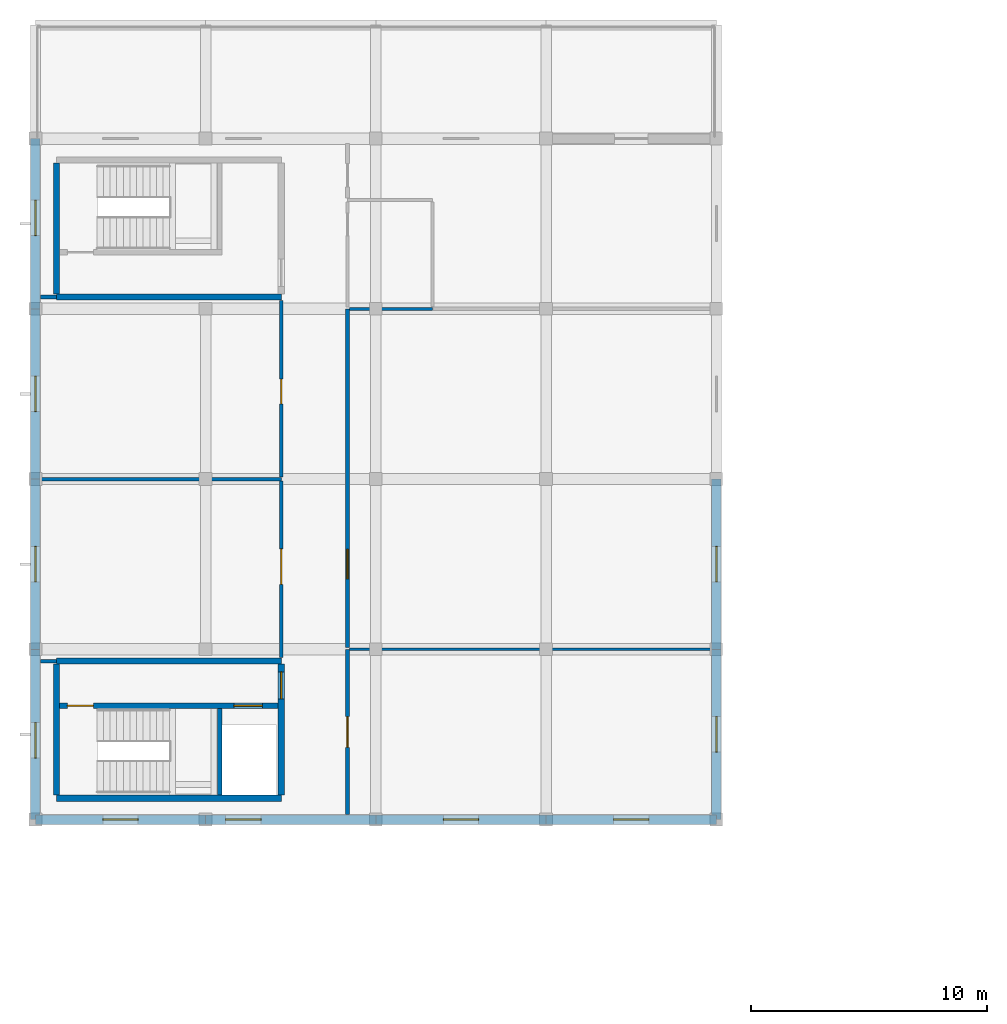
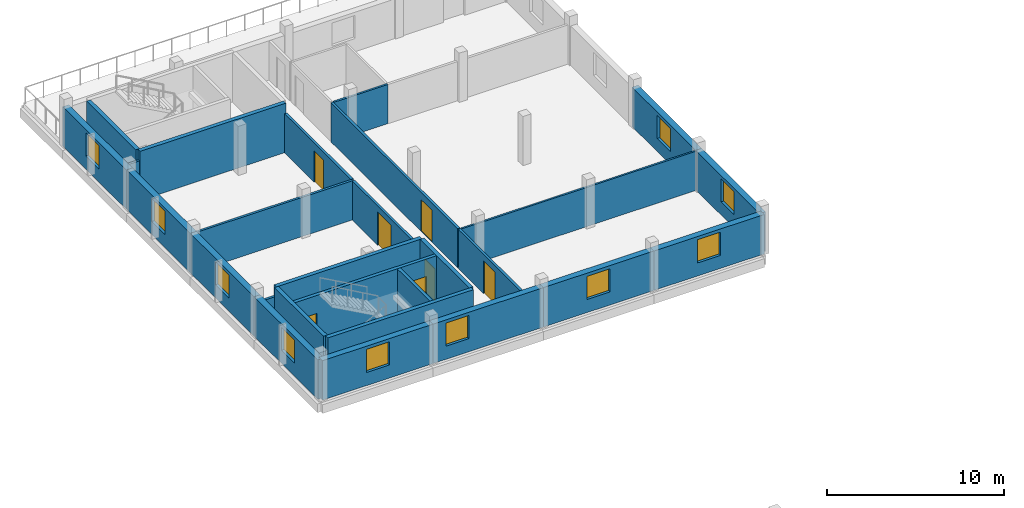
# One storey, part 72 of 84: 27 walls, 10 windows, 7 doors, 17 openings.
"""IFC4 building model written with IfcOpenShell, lengths in metres."""

from ifc_helpers import new_model, si_unit, direction, frame, frame_2d, origin, place, context, subcontext, project, spatial, rectangle, extrude, material, layer, layer_set, type_object, element, fill, save


model = new_model("IFC4")

# Units and contexts
model_context = context("Model", 3, precision=1e-05, world=origin(), true_north=direction((0.0, 1.0)))
body_context = subcontext(model_context, "Body", "Model", "MODEL_VIEW")
ifc_project = project(units=[si_unit("LENGTHUNIT", "METRE"), si_unit("AREAUNIT", "SQUARE_METRE"), si_unit("VOLUMEUNIT", "CUBIC_METRE"), si_unit("PLANEANGLEUNIT", "RADIAN"), si_unit("MASSUNIT", "GRAM", prefix="KILO")], contexts=[model_context])

# Site, building, storey
site_placement = place(None, origin())
site = spatial("IfcSite", under=ifc_project, at=site_placement, CompositionType="ELEMENT")
building_placement = place(site_placement, origin())
building = spatial("IfcBuilding", under=site, at=building_placement, Name="Zornivar Specialist Clinic", CompositionType="ELEMENT")
storey_placement = place(building_placement, frame((0.0, 0.0, 12.300048828125)))
storey = spatial("IfcBuildingStorey", under=building, at=storey_placement, Name="L03", CompositionType="ELEMENT", Elevation=12.300048828125)

# Wall, opening, window
ifc_material_1 = material(Name="Masonry Hygienic Insulated Procedure Wing Wall", Category="masonry")
ifc_layer_1 = layer(ifc_material_1, 0.39990234375)
ifc_layer_set_1 = layer_set([ifc_layer_1], Name="Masonry Hygienic Insulated Procedure Wing Wall")
wall_type_1 = type_object("IfcWallType", Name="EW-PROC-400", PredefinedType="SOLIDWALL", material=ifc_layer_set_1)
wall_1_placement = place(storey_placement, frame((0.0, 79.199951171875, 0.0), z_axis=(0.0, 0.0, 1.0), x_axis=(1.0, 0.0, 0.0)))
wall_1 = element("IfcWall", 1, at=wall_1_placement, inside=storey, type_object=wall_type_1, Name="ew:V5:L03:00", PredefinedType="SOLIDWALL", context=body_context, shape_type="SweptSolid", body=[
    extrude(rectangle(XDim=7.199951171875, YDim=0.39990234375, at=frame_2d((3.60009765625, 0.0))), origin(), (0.0, 0.0, 1.0), 2.719970703125),
])
opening_1_placement = place(wall_1_placement, frame((2.85009765625, 0.0, 0.89990234375)))
opening_1 = element("IfcOpeningElement", 2, at=opening_1_placement, cuts=wall_1, Name="Opening W-18", PredefinedType="OPENING", context=body_context, shape_type="SweptSolid", body=[
    extrude(rectangle(XDim=1.5, YDim=1.60009765625, at=frame_2d((0.75, 0.800048828125))), frame((0.0, 0.2099609375, 0.0), z_axis=(0.0, -1.0, 0.0), x_axis=(1.0, 0.0, 0.0)), (0.0, 0.0, 1.0), 0.419921875),
])
ifc_material_2 = material(Name="Triple-Glazed Aluminium-Timber Window Glass", Category="wood")
window_type = type_object("IfcWindowType", Name="WIN-PROC-UPPER-1500x1600", PartitioningType="SINGLE_PANEL", PredefinedType="WINDOW", material=ifc_material_2)
window_1_placement = place(opening_1_placement, origin())
window_1 = element("IfcWindow", 3, at=window_1_placement, inside=storey, type_object=window_type, Name="win:V5:L03:00", OverallHeight=1.60009765625, OverallWidth=1.5, PartitioningType="SINGLE_PANEL", PredefinedType="WINDOW", context=body_context, shape_type="SweptSolid", body=[
    extrude(rectangle(XDim=1.5, YDim=1.60009765625, at=frame_2d((0.75, 0.800048828125))), frame((0.0, 0.030029296875, 0.0), z_axis=(0.0, -1.0, 0.0), x_axis=(1.0, 0.0, 0.0)), (0.0, 0.0, 1.0), 0.06005859375),
])
fill(opening_1, window_1)

wall_2_placement = place(storey_placement, frame((7.199951171875, 79.199951171875, 0.0), z_axis=(0.0, 0.0, 1.0), x_axis=(1.0, 0.0, 0.0)))
wall_2 = element("IfcWall", 4, at=wall_2_placement, inside=storey, type_object=wall_type_1, Name="ew:V5:L03:01", PredefinedType="SOLIDWALL", context=body_context, shape_type="SweptSolid", body=[
    extrude(rectangle(XDim=7.199951171875, YDim=0.39990234375, at=frame_2d((3.60009765625, 0.0))), origin(), (0.0, 0.0, 1.0), 2.719970703125),
])
opening_2_placement = place(wall_2_placement, frame((0.85009765625, 0.0, 0.89990234375)))
opening_2 = element("IfcOpeningElement", 5, at=opening_2_placement, cuts=wall_2, Name="Opening W-18", PredefinedType="OPENING", context=body_context, shape_type="SweptSolid", body=[
    extrude(rectangle(XDim=1.5, YDim=1.60009765625, at=frame_2d((0.75, 0.800048828125))), frame((0.0, 0.2099609375, 0.0), z_axis=(0.0, -1.0, 0.0), x_axis=(1.0, 0.0, 0.0)), (0.0, 0.0, 1.0), 0.419921875),
])
window_2_placement = place(opening_2_placement, origin())
window_2 = element("IfcWindow", 6, at=window_2_placement, inside=storey, type_object=window_type, Name="win:V5:L03:01", OverallHeight=1.60009765625, OverallWidth=1.5, PartitioningType="SINGLE_PANEL", PredefinedType="WINDOW", context=body_context, shape_type="SweptSolid", body=[
    extrude(rectangle(XDim=1.5, YDim=1.60009765625, at=frame_2d((0.75, 0.800048828125))), frame((0.0, 0.030029296875, 0.0), z_axis=(0.0, -1.0, 0.0), x_axis=(1.0, 0.0, 0.0)), (0.0, 0.0, 1.0), 0.06005859375),
])
fill(opening_2, window_2)

wall_3_placement = place(storey_placement, frame((14.39990234375, 79.199951171875, 0.0), z_axis=(0.0, 0.0, 1.0), x_axis=(1.0, 0.0, 0.0)))
wall_3 = element("IfcWall", 7, at=wall_3_placement, inside=storey, type_object=wall_type_1, Name="ew:V5:L03:02", PredefinedType="SOLIDWALL", context=body_context, shape_type="SweptSolid", body=[
    extrude(rectangle(XDim=7.2001953125, YDim=0.39990234375, at=frame_2d((3.60009765625, 0.0))), origin(), (0.0, 0.0, 1.0), 2.719970703125),
])
opening_3_placement = place(wall_3_placement, frame((2.85009765625, 0.0, 0.89990234375)))
opening_3 = element("IfcOpeningElement", 8, at=opening_3_placement, cuts=wall_3, Name="Opening W-18", PredefinedType="OPENING", context=body_context, shape_type="SweptSolid", body=[
    extrude(rectangle(XDim=1.5, YDim=1.60009765625, at=frame_2d((0.75, 0.800048828125))), frame((0.0, 0.2099609375, 0.0), z_axis=(0.0, -1.0, 0.0), x_axis=(1.0, 0.0, 0.0)), (0.0, 0.0, 1.0), 0.419921875),
])
window_3_placement = place(opening_3_placement, origin())
window_3 = element("IfcWindow", 9, at=window_3_placement, inside=storey, type_object=window_type, Name="win:V5:L03:02", OverallHeight=1.60009765625, OverallWidth=1.5, PartitioningType="SINGLE_PANEL", PredefinedType="WINDOW", context=body_context, shape_type="SweptSolid", body=[
    extrude(rectangle(XDim=1.5, YDim=1.60009765625, at=frame_2d((0.75, 0.800048828125))), frame((0.0, 0.030029296875, 0.0), z_axis=(0.0, -1.0, 0.0), x_axis=(1.0, 0.0, 0.0)), (0.0, 0.0, 1.0), 0.06005859375),
])
fill(opening_3, window_3)

wall_4_placement = place(storey_placement, frame((21.60009765625, 79.199951171875, 0.0), z_axis=(0.0, 0.0, 1.0), x_axis=(1.0, 0.0, 0.0)))
wall_4 = element("IfcWall", 10, at=wall_4_placement, inside=storey, type_object=wall_type_1, Name="ew:V5:L03:03", PredefinedType="SOLIDWALL", context=body_context, shape_type="SweptSolid", body=[
    extrude(rectangle(XDim=7.199951171875, YDim=0.39990234375, at=frame_2d((3.60009765625, 0.0))), origin(), (0.0, 0.0, 1.0), 2.719970703125),
])
opening_4_placement = place(wall_4_placement, frame((2.85009765625, 0.0, 0.89990234375)))
opening_4 = element("IfcOpeningElement", 11, at=opening_4_placement, cuts=wall_4, Name="Opening W-18", PredefinedType="OPENING", context=body_context, shape_type="SweptSolid", body=[
    extrude(rectangle(XDim=1.5, YDim=1.60009765625, at=frame_2d((0.75, 0.800048828125))), frame((0.0, 0.2099609375, 0.0), z_axis=(0.0, -1.0, 0.0), x_axis=(1.0, 0.0, 0.0)), (0.0, 0.0, 1.0), 0.419921875),
])
window_4_placement = place(opening_4_placement, origin())
window_4 = element("IfcWindow", 12, at=window_4_placement, inside=storey, type_object=window_type, Name="win:V5:L03:03", OverallHeight=1.60009765625, OverallWidth=1.5, PartitioningType="SINGLE_PANEL", PredefinedType="WINDOW", context=body_context, shape_type="SweptSolid", body=[
    extrude(rectangle(XDim=1.5, YDim=1.60009765625, at=frame_2d((0.75, 0.800048828125))), frame((0.0, 0.030029296875, 0.0), z_axis=(0.0, -1.0, 0.0), x_axis=(1.0, 0.0, 0.0)), (0.0, 0.0, 1.0), 0.06005859375),
])
fill(opening_4, window_4)

wall_5_placement = place(storey_placement, frame((28.800048828125, 79.199951171875, 0.0), z_axis=(0.0, 0.0, 1.0), x_axis=(0.0, 1.0, 0.0)))
wall_5 = element("IfcWall", 13, at=wall_5_placement, inside=storey, type_object=wall_type_1, Name="ew:V5:L03:04", PredefinedType="SOLIDWALL", context=body_context, shape_type="SweptSolid", body=[
    extrude(rectangle(XDim=7.199951171875, YDim=0.39990234375, at=frame_2d((3.60009765625, 0.0))), origin(), (0.0, 0.0, 1.0), 2.719970703125),
])
opening_5_placement = place(wall_5_placement, frame((2.85009765625, 0.0, 0.89990234375)))
opening_5 = element("IfcOpeningElement", 14, at=opening_5_placement, cuts=wall_5, Name="Opening W-18", PredefinedType="OPENING", context=body_context, shape_type="SweptSolid", body=[
    extrude(rectangle(XDim=1.5, YDim=1.60009765625, at=frame_2d((0.75, 0.800048828125))), frame((0.0, 0.2099609375, 0.0), z_axis=(0.0, -1.0, 0.0), x_axis=(1.0, 0.0, 0.0)), (0.0, 0.0, 1.0), 0.419921875),
])
window_5_placement = place(opening_5_placement, origin())
window_5 = element("IfcWindow", 15, at=window_5_placement, inside=storey, type_object=window_type, Name="win:V5:L03:04", OverallHeight=1.60009765625, OverallWidth=1.5, PartitioningType="SINGLE_PANEL", PredefinedType="WINDOW", context=body_context, shape_type="SweptSolid", body=[
    extrude(rectangle(XDim=1.5, YDim=1.60009765625, at=frame_2d((0.75, 0.800048828125))), frame((0.0, 0.030029296875, 0.0), z_axis=(0.0, -1.0, 0.0), x_axis=(1.0, 0.0, 0.0)), (0.0, 0.0, 1.0), 0.06005859375),
])
fill(opening_5, window_5)

wall_6_placement = place(storey_placement, frame((28.800048828125, 86.39990234375, 0.0), z_axis=(0.0, 0.0, 1.0), x_axis=(0.0, 1.0, 0.0)))
wall_6 = element("IfcWall", 16, at=wall_6_placement, inside=storey, type_object=wall_type_1, Name="ew:V5:L03:05", PredefinedType="SOLIDWALL", context=body_context, shape_type="SweptSolid", body=[
    extrude(rectangle(XDim=7.2001953125, YDim=0.39990234375, at=frame_2d((3.60009765625, 0.0))), origin(), (0.0, 0.0, 1.0), 2.719970703125),
])
opening_6_placement = place(wall_6_placement, frame((2.85009765625, 0.0, 0.89990234375)))
opening_6 = element("IfcOpeningElement", 17, at=opening_6_placement, cuts=wall_6, Name="Opening W-18", PredefinedType="OPENING", context=body_context, shape_type="SweptSolid", body=[
    extrude(rectangle(XDim=1.5, YDim=1.60009765625, at=frame_2d((0.75, 0.800048828125))), frame((0.0, 0.2099609375, 0.0), z_axis=(0.0, -1.0, 0.0), x_axis=(1.0, 0.0, 0.0)), (0.0, 0.0, 1.0), 0.419921875),
])
window_6_placement = place(opening_6_placement, origin())
window_6 = element("IfcWindow", 18, at=window_6_placement, inside=storey, type_object=window_type, Name="win:V5:L03:05", OverallHeight=1.60009765625, OverallWidth=1.5, PartitioningType="SINGLE_PANEL", PredefinedType="WINDOW", context=body_context, shape_type="SweptSolid", body=[
    extrude(rectangle(XDim=1.5, YDim=1.60009765625, at=frame_2d((0.75, 0.800048828125))), frame((0.0, 0.030029296875, 0.0), z_axis=(0.0, -1.0, 0.0), x_axis=(1.0, 0.0, 0.0)), (0.0, 0.0, 1.0), 0.06005859375),
])
fill(opening_6, window_6)

wall_7_placement = place(storey_placement, frame((0.0, 108.0, 0.0), z_axis=(0.0, 0.0, 1.0), x_axis=(0.0, -1.0, 0.0)))
wall_7 = element("IfcWall", 19, at=wall_7_placement, inside=storey, type_object=wall_type_1, Name="ew:V5:L03:12", PredefinedType="SOLIDWALL", context=body_context, shape_type="SweptSolid", body=[
    extrude(rectangle(XDim=7.199951171875, YDim=0.39990234375, at=frame_2d((3.60009765625, 0.0))), origin(), (0.0, 0.0, 1.0), 2.719970703125),
])
opening_7_placement = place(wall_7_placement, frame((2.60009765625, 0.0, 0.89990234375)))
opening_7 = element("IfcOpeningElement", 20, at=opening_7_placement, cuts=wall_7, Name="Opening W-18", PredefinedType="OPENING", context=body_context, shape_type="SweptSolid", body=[
    extrude(rectangle(XDim=1.5, YDim=1.60009765625, at=frame_2d((0.75, 0.800048828125))), frame((0.0, 0.2099609375, 0.0), z_axis=(0.0, -1.0, 0.0), x_axis=(1.0, 0.0, 0.0)), (0.0, 0.0, 1.0), 0.419921875),
])
window_7_placement = place(opening_7_placement, origin())
window_7 = element("IfcWindow", 21, at=window_7_placement, inside=storey, type_object=window_type, Name="win:V5:L03:12", OverallHeight=1.60009765625, OverallWidth=1.5, PartitioningType="SINGLE_PANEL", PredefinedType="WINDOW", context=body_context, shape_type="SweptSolid", body=[
    extrude(rectangle(XDim=1.5, YDim=1.60009765625, at=frame_2d((0.75, 0.800048828125))), frame((0.0, 0.030029296875, 0.0), z_axis=(0.0, -1.0, 0.0), x_axis=(1.0, 0.0, 0.0)), (0.0, 0.0, 1.0), 0.06005859375),
])
fill(opening_7, window_7)

wall_8_placement = place(storey_placement, frame((0.0, 100.800048828125, 0.0), z_axis=(0.0, 0.0, 1.0), x_axis=(0.0, -1.0, 0.0)))
wall_8 = element("IfcWall", 22, at=wall_8_placement, inside=storey, type_object=wall_type_1, Name="ew:V5:L03:13", PredefinedType="SOLIDWALL", context=body_context, shape_type="SweptSolid", body=[
    extrude(rectangle(XDim=7.199951171875, YDim=0.39990234375, at=frame_2d((3.60009765625, 0.0))), origin(), (0.0, 0.0, 1.0), 2.719970703125),
])
opening_8_placement = place(wall_8_placement, frame((2.85009765625, 0.0, 0.89990234375)))
opening_8 = element("IfcOpeningElement", 23, at=opening_8_placement, cuts=wall_8, Name="Opening W-18", PredefinedType="OPENING", context=body_context, shape_type="SweptSolid", body=[
    extrude(rectangle(XDim=1.5, YDim=1.60009765625, at=frame_2d((0.75, 0.800048828125))), frame((0.0, 0.2099609375, 0.0), z_axis=(0.0, -1.0, 0.0), x_axis=(1.0, 0.0, 0.0)), (0.0, 0.0, 1.0), 0.419921875),
])
window_8_placement = place(opening_8_placement, origin())
window_8 = element("IfcWindow", 24, at=window_8_placement, inside=storey, type_object=window_type, Name="win:V5:L03:13", OverallHeight=1.60009765625, OverallWidth=1.5, PartitioningType="SINGLE_PANEL", PredefinedType="WINDOW", context=body_context, shape_type="SweptSolid", body=[
    extrude(rectangle(XDim=1.5, YDim=1.60009765625, at=frame_2d((0.75, 0.800048828125))), frame((0.0, 0.030029296875, 0.0), z_axis=(0.0, -1.0, 0.0), x_axis=(1.0, 0.0, 0.0)), (0.0, 0.0, 1.0), 0.06005859375),
])
fill(opening_8, window_8)

wall_9_placement = place(storey_placement, frame((0.0, 93.60009765625, 0.0), z_axis=(0.0, 0.0, 1.0), x_axis=(0.0, -1.0, 0.0)))
wall_9 = element("IfcWall", 25, at=wall_9_placement, inside=storey, type_object=wall_type_1, Name="ew:V5:L03:14", PredefinedType="SOLIDWALL", context=body_context, shape_type="SweptSolid", body=[
    extrude(rectangle(XDim=7.2001953125, YDim=0.39990234375, at=frame_2d((3.60009765625, 0.0))), origin(), (0.0, 0.0, 1.0), 2.719970703125),
])
opening_9_placement = place(wall_9_placement, frame((2.85009765625, 0.0, 0.89990234375)))
opening_9 = element("IfcOpeningElement", 26, at=opening_9_placement, cuts=wall_9, Name="Opening W-18", PredefinedType="OPENING", context=body_context, shape_type="SweptSolid", body=[
    extrude(rectangle(XDim=1.5, YDim=1.60009765625, at=frame_2d((0.75, 0.800048828125))), frame((0.0, 0.2099609375, 0.0), z_axis=(0.0, -1.0, 0.0), x_axis=(1.0, 0.0, 0.0)), (0.0, 0.0, 1.0), 0.419921875),
])
window_9_placement = place(opening_9_placement, origin())
window_9 = element("IfcWindow", 27, at=window_9_placement, inside=storey, type_object=window_type, Name="win:V5:L03:14", OverallHeight=1.60009765625, OverallWidth=1.5, PartitioningType="SINGLE_PANEL", PredefinedType="WINDOW", context=body_context, shape_type="SweptSolid", body=[
    extrude(rectangle(XDim=1.5, YDim=1.60009765625, at=frame_2d((0.75, 0.800048828125))), frame((0.0, 0.030029296875, 0.0), z_axis=(0.0, -1.0, 0.0), x_axis=(1.0, 0.0, 0.0)), (0.0, 0.0, 1.0), 0.06005859375),
])
fill(opening_9, window_9)

wall_10_placement = place(storey_placement, frame((0.0, 86.39990234375, 0.0), z_axis=(0.0, 0.0, 1.0), x_axis=(0.0, -1.0, 0.0)))
wall_10 = element("IfcWall", 28, at=wall_10_placement, inside=storey, type_object=wall_type_1, Name="ew:V5:L03:15", PredefinedType="SOLIDWALL", context=body_context, shape_type="SweptSolid", body=[
    extrude(rectangle(XDim=7.199951171875, YDim=0.39990234375, at=frame_2d((3.60009765625, 0.0))), origin(), (0.0, 0.0, 1.0), 2.719970703125),
])
opening_10_placement = place(wall_10_placement, frame((3.10009765625, 0.0, 0.89990234375)))
opening_10 = element("IfcOpeningElement", 29, at=opening_10_placement, cuts=wall_10, Name="Opening W-18", PredefinedType="OPENING", context=body_context, shape_type="SweptSolid", body=[
    extrude(rectangle(XDim=1.5, YDim=1.60009765625, at=frame_2d((0.75, 0.800048828125))), frame((0.0, 0.2099609375, 0.0), z_axis=(0.0, -1.0, 0.0), x_axis=(1.0, 0.0, 0.0)), (0.0, 0.0, 1.0), 0.419921875),
])
window_10_placement = place(opening_10_placement, origin())
window_10 = element("IfcWindow", 30, at=window_10_placement, inside=storey, type_object=window_type, Name="win:V5:L03:15", OverallHeight=1.60009765625, OverallWidth=1.5, PartitioningType="SINGLE_PANEL", PredefinedType="WINDOW", context=body_context, shape_type="SweptSolid", body=[
    extrude(rectangle(XDim=1.5, YDim=1.60009765625, at=frame_2d((0.75, 0.800048828125))), frame((0.0, 0.030029296875, 0.0), z_axis=(0.0, -1.0, 0.0), x_axis=(1.0, 0.0, 0.0)), (0.0, 0.0, 1.0), 0.06005859375),
])
fill(opening_10, window_10)

# Wall, opening, door
ifc_material_3 = material(Name="Gypsum Fire-Rated Double Stud Partition")
ifc_layer_2 = layer(ifc_material_3, 0.159912109375)
ifc_layer_set_2 = layer_set([ifc_layer_2], Name="Gypsum Fire-Rated Double Stud Partition")
wall_type_2 = type_object("IfcWallType", Name="IW-CORR-EI60-160", PredefinedType="PARTITIONING", material=ifc_layer_set_2)
wall_11_placement = place(storey_placement, frame((10.39990234375, 93.510986328125, 0.0), z_axis=(0.0, 0.0, 1.0), x_axis=(0.0, -1.0, 0.0)))
wall_11 = element("IfcWall", 31, at=wall_11_placement, inside=storey, type_object=wall_type_2, Name="iw:L03:081", PredefinedType="PARTITIONING", context=body_context, shape_type="SweptSolid", body=[
    extrude(rectangle(XDim=7.466064453125, YDim=0.159912109375, at=frame_2d((3.73291015625, 0.0))), origin(), (0.0, 0.0, 1.0), 2.699951171875),
])
opening_11_placement = place(wall_11_placement, frame((2.864013671875, 0.0, 0.0)))
opening_11 = element("IfcOpeningElement", 32, at=opening_11_placement, cuts=wall_11, Name="Opening ID-01", PredefinedType="OPENING", context=body_context, shape_type="SweptSolid", body=[
    extrude(rectangle(XDim=1.5, YDim=2.300048828125, at=frame_2d((0.75, 1.14990234375))), frame((0.0, 0.08984375, 0.0), z_axis=(0.0, -1.0, 0.0), x_axis=(1.0, 0.0, 0.0)), (0.0, 0.0, 1.0), 0.179931640625),
])
ifc_material_4 = material(Name="Solid-Core Hygienic Laminate Timber Door", Category="wood")
door_type_1 = type_object("IfcDoorType", Name="ID-OR-SUITE-1500x2300", OperationType="NOTDEFINED", PredefinedType="DOOR", material=ifc_material_4)
door_1_placement = place(opening_11_placement, origin())
door_1 = element("IfcDoor", 33, at=door_1_placement, inside=storey, type_object=door_type_1, Name="door:space:V5:L03:rm:00", OperationType="DOUBLE_DOOR_SINGLE_SWING", OverallHeight=2.300048828125, OverallWidth=1.5, PredefinedType="DOOR", context=body_context, shape_type="SweptSolid", body=[
    extrude(rectangle(XDim=1.5, YDim=2.300048828125, at=frame_2d((0.75, 1.14990234375))), frame((0.0, 0.02490234375, 0.0), z_axis=(0.0, -1.0, 0.0), x_axis=(1.0, 0.0, 0.0)), (0.0, 0.0, 1.0), 0.050048828125),
])
fill(opening_11, door_1)

wall_12_placement = place(storey_placement, frame((10.39990234375, 101.155029296875, 0.0), z_axis=(0.0, 0.0, 1.0), x_axis=(0.0, -1.0, 0.0)))
wall_12 = element("IfcWall", 34, at=wall_12_placement, inside=storey, type_object=wall_type_2, Name="iw:L03:084", PredefinedType="PARTITIONING", context=body_context, shape_type="SweptSolid", body=[
    extrude(rectangle(XDim=7.466064453125, YDim=0.159912109375, at=frame_2d((3.73291015625, 0.0))), origin(), (0.0, 0.0, 1.0), 2.699951171875),
])
opening_12_placement = place(wall_12_placement, frame((3.326904296875, 0.0, 0.0)))
opening_12 = element("IfcOpeningElement", 35, at=opening_12_placement, cuts=wall_12, Name="Opening ID-03", PredefinedType="OPENING", context=body_context, shape_type="SweptSolid", body=[
    extrude(rectangle(XDim=1.050048828125, YDim=2.14990234375, at=frame_2d((0.52490234375, 1.074951171875))), frame((0.0, 0.08984375, 0.0), z_axis=(0.0, -1.0, 0.0), x_axis=(1.0, 0.0, 0.0)), (0.0, 0.0, 1.0), 0.179931640625),
])
ifc_material_5 = material(Name="Solid-Core Hygienic Laminate Timber Door", Category="wood")
door_type_2 = type_object("IfcDoorType", Name="ID-CONS-1050x2150", OperationType="NOTDEFINED", PredefinedType="DOOR", material=ifc_material_5)
door_2_placement = place(opening_12_placement, origin())
door_2 = element("IfcDoor", 36, at=door_2_placement, inside=storey, type_object=door_type_2, Name="door:space:V5:L03:rm:01", OperationType="SINGLE_SWING_RIGHT", OverallHeight=2.14990234375, OverallWidth=1.050048828125, PredefinedType="DOOR", context=body_context, shape_type="SweptSolid", body=[
    extrude(rectangle(XDim=1.050048828125, YDim=2.14990234375, at=frame_2d((0.52490234375, 1.074951171875))), frame((0.0, 0.02490234375, 0.0), z_axis=(0.0, -1.0, 0.0), x_axis=(1.0, 0.0, 0.0)), (0.0, 0.0, 1.0), 0.050048828125),
])
fill(opening_12, door_2)

wall_13_placement = place(storey_placement, frame((13.199951171875, 79.4150390625, 0.0), z_axis=(0.0, 0.0, 1.0), x_axis=(0.0, 1.0, 0.0)))
wall_13 = element("IfcWall", 37, at=wall_13_placement, inside=storey, type_object=wall_type_2, Name="iw:L03:085", PredefinedType="PARTITIONING", context=body_context, shape_type="SweptSolid", body=[
    extrude(rectangle(XDim=6.98486328125, YDim=0.159912109375, at=frame_2d((3.492431640625, 0.0))), origin(), (0.0, 0.0, 1.0), 2.699951171875),
])
opening_13_placement = place(wall_13_placement, frame((2.842041015625, 0.0, 0.0)))
opening_13 = element("IfcOpeningElement", 38, at=opening_13_placement, cuts=wall_13, Name="Opening ID-13", PredefinedType="OPENING", context=body_context, shape_type="SweptSolid", body=[
    extrude(rectangle(XDim=1.300048828125, YDim=2.25, at=frame_2d((0.64990234375, 1.125))), frame((0.0, 0.08984375, 0.0), z_axis=(0.0, -1.0, 0.0), x_axis=(1.0, 0.0, 0.0)), (0.0, 0.0, 1.0), 0.179931640625),
])
ifc_material_6 = material(Name="Solid-Core Hygienic Laminate Timber Door", Category="wood")
door_type_3 = type_object("IfcDoorType", Name="ID-RECOV-1300x2250", OperationType="NOTDEFINED", PredefinedType="DOOR", material=ifc_material_6)
door_3_placement = place(opening_13_placement, origin())
door_3 = element("IfcDoor", 39, at=door_3_placement, inside=storey, type_object=door_type_3, Name="door:space:V5:L03:rm:02", OperationType="SINGLE_SWING_LEFT", OverallHeight=2.25, OverallWidth=1.300048828125, PredefinedType="DOOR", context=body_context, shape_type="SweptSolid", body=[
    extrude(rectangle(XDim=1.300048828125, YDim=2.25, at=frame_2d((0.64990234375, 1.125))), frame((0.0, 0.02490234375, 0.0), z_axis=(0.0, -1.0, 0.0), x_axis=(1.0, 0.0, 0.0)), (0.0, 0.0, 1.0), 0.050048828125),
])
fill(opening_13, door_3)

wall_14_placement = place(storey_placement, frame((13.199951171875, 86.47412109375, 0.0), z_axis=(0.0, 0.0, 1.0), x_axis=(0.0, 1.0, 0.0)))
wall_14 = element("IfcWall", 40, at=wall_14_placement, inside=storey, type_object=wall_type_2, Name="iw:L03:087", PredefinedType="PARTITIONING", context=body_context, shape_type="SweptSolid", body=[
    extrude(rectangle(XDim=14.325927734375, YDim=0.159912109375, at=frame_2d((7.1630859375, 0.0))), origin(), (0.0, 0.0, 1.0), 2.699951171875),
])
opening_14_placement = place(wall_14_placement, frame((2.903076171875, 0.0, 0.0)))
opening_14 = element("IfcOpeningElement", 41, at=opening_14_placement, cuts=wall_14, Name="Opening FD-06", PredefinedType="OPENING", context=body_context, shape_type="SweptSolid", body=[
    extrude(rectangle(XDim=1.25, YDim=2.199951171875, at=frame_2d((0.625, 1.10009765625))), frame((0.0, 0.08984375, 0.0), z_axis=(0.0, -1.0, 0.0), x_axis=(1.0, 0.0, 0.0)), (0.0, 0.0, 1.0), 0.179931640625),
])
ifc_material_7 = material(Name="Solid-Core Hygienic Laminate Timber Door", Category="wood")
door_type_4 = type_object("IfcDoorType", Name="FD-PHARM-GMP-1250x2200", OperationType="NOTDEFINED", PredefinedType="DOOR", material=ifc_material_7)
door_4_placement = place(opening_14_placement, origin())
door_4 = element("IfcDoor", 42, at=door_4_placement, inside=storey, type_object=door_type_4, Name="door:space:V5:L03:rm:03", OperationType="SINGLE_SWING_RIGHT", OverallHeight=2.199951171875, OverallWidth=1.25, PredefinedType="DOOR", context=body_context, shape_type="SweptSolid", body=[
    extrude(rectangle(XDim=1.25, YDim=2.199951171875, at=frame_2d((0.625, 1.10009765625))), frame((0.0, 0.02490234375, 0.0), z_axis=(0.0, -1.0, 0.0), x_axis=(1.0, 0.0, 0.0)), (0.0, 0.0, 1.0), 0.050048828125),
])
fill(opening_14, door_4)

# Walls
ifc_material_8 = material(Name="Acoustic Glazed Consultation Partition")
ifc_layer_3 = layer(ifc_material_8, 0.1201171875)
ifc_layer_set_3 = layer_set([ifc_layer_3], Name="Acoustic Glazed Consultation Partition")
wall_type_3 = type_object("IfcWallType", Name="IW-GLAZ-120", PredefinedType="PARTITIONING", material=ifc_layer_set_3)
wall_15_placement = place(storey_placement, frame((13.2939453125, 86.39990234375, 0.0), z_axis=(0.0, 0.0, 1.0), x_axis=(1.0, 0.0, 0.0)))
element("IfcWall", 43, at=wall_15_placement, inside=storey, type_object=wall_type_3, Name="iw:L03:086", PredefinedType="PARTITIONING", context=body_context, shape_type="SweptSolid", body=[
    extrude(rectangle(XDim=15.291015625, YDim=0.1201171875, at=frame_2d((7.6455078125, 0.0))), origin(), (0.0, 0.0, 1.0), 2.699951171875),
])
ifc_material_9 = material(Name="Hygienic Lead-Free Procedure Partition")
ifc_layer_4 = layer(ifc_material_9, 0.14990234375)
ifc_layer_set_4 = layer_set([ifc_layer_4], Name="Hygienic Lead-Free Procedure Partition")
wall_type_4 = type_object("IfcWallType", Name="IW-PROC-150", PredefinedType="PARTITIONING", material=ifc_layer_set_4)
wall_16_placement = place(storey_placement, frame((0.215087890625, 93.60009765625, 0.0), z_axis=(0.0, 0.0, 1.0), x_axis=(1.0, 0.0, 0.0)))
element("IfcWall", 44, at=wall_16_placement, inside=storey, type_object=wall_type_4, Name="iw:L03:080", PredefinedType="PARTITIONING", context=body_context, shape_type="SweptSolid", body=[
    extrude(rectangle(XDim=10.184814453125, YDim=0.14990234375, at=frame_2d((5.09228515625, 0.0))), origin(), (0.0, 0.0, 1.0), 2.699951171875),
])
for number, where, z_axis, x_axis, name in (
    (45, (0.89990234375, 85.89990234375, 0.0), (0.0, 0.0, 1.0), (-1.0, 0.0, 0.0), "iw:L03:082"),
    (46, (0.215087890625, 101.300048828125, 0.0), (0.0, 0.0, 1.0), (1.0, 0.0, 0.0), "iw:L03:083"),
):
    element("IfcWall", number, at=place(storey_placement, frame(where, z_axis=z_axis, x_axis=x_axis)), inside=storey, type_object=wall_type_4, Name=name, PredefinedType="PARTITIONING", context=body_context, shape_type="SweptSolid", body=[
        extrude(rectangle(XDim=0.684814453125, YDim=0.14990234375, at=frame_2d((0.34228515625, 0.0))), origin(), (0.0, 0.0, 1.0), 2.699951171875),
    ])
ifc_material_10 = material(Name="Moisture-Resistant Sanitary Partition")
ifc_layer_5 = layer(ifc_material_10, 0.1298828125)
ifc_layer_set_5 = layer_set([ifc_layer_5], Name="Moisture-Resistant Sanitary Partition")
wall_type_5 = type_object("IfcWallType", Name="IW-WET-130", PredefinedType="PARTITIONING", material=ifc_layer_set_5)
wall_17_placement = place(storey_placement, frame((13.2939453125, 100.800048828125, 0.0), z_axis=(0.0, 0.0, 1.0), x_axis=(1.0, 0.0, 0.0)))
element("IfcWall", 47, at=wall_17_placement, inside=storey, type_object=wall_type_5, Name="iw:L03:088", PredefinedType="PARTITIONING", context=body_context, shape_type="SweptSolid", body=[
    extrude(rectangle(XDim=3.506103515625, YDim=0.1298828125, at=frame_2d((1.7529296875, 0.0))), origin(), (0.0, 0.0, 1.0), 2.699951171875),
])
ifc_material_11 = material(Name="Concrete C35/45", Category="concrete")
ifc_layer_6 = layer(ifc_material_11, 0.260009765625)
ifc_layer_set_6 = layer_set([ifc_layer_6], Name="Concrete C35/45")
wall_type_6 = type_object("IfcWallType", Name="SW-CORE-260", PredefinedType="SHEAR", material=ifc_layer_set_6)
wall_18_placement = place(storey_placement, frame((0.89990234375, 80.10009765625, 0.0), z_axis=(0.0, 0.0, 1.0), x_axis=(1.0, 0.0, 0.0)))
element("IfcWall", 48, at=wall_18_placement, inside=storey, type_object=wall_type_6, Name="sw:C7:L03:w0", PredefinedType="SHEAR", context=body_context, shape_type="SweptSolid", body=[
    extrude(rectangle(XDim=9.5, YDim=0.260009765625, at=frame_2d((4.75, 0.0))), origin(), (0.0, 0.0, 1.0), 3.389892578125),
])

# Wall, opening, door
wall_19_placement = place(storey_placement, frame((10.39990234375, 80.22998046875, 0.0), z_axis=(0.0, 0.0, 1.0), x_axis=(0.0, 1.0, 0.0)))
wall_19 = element("IfcWall", 49, at=wall_19_placement, inside=storey, type_object=wall_type_6, Name="sw:C7:L03:w1", PredefinedType="SHEAR", context=body_context, shape_type="SweptSolid", body=[
    extrude(rectangle(XDim=5.5400390625, YDim=0.260009765625, at=frame_2d((2.77001953125, 0.0))), origin(), (0.0, 0.0, 1.0), 3.389892578125),
])
opening_15_placement = place(wall_19_placement, frame((4.070068359375, 0.0, 0.0)))
opening_15 = element("IfcOpeningElement", 50, at=opening_15_placement, cuts=wall_19, Name="Opening FD-03", PredefinedType="OPENING", context=body_context, shape_type="SweptSolid", body=[
    extrude(rectangle(XDim=1.14990234375, YDim=2.199951171875, at=frame_2d((0.574951171875, 1.10009765625))), frame((0.0, 0.139892578125, 0.0), z_axis=(0.0, -1.0, 0.0), x_axis=(1.0, 0.0, 0.0)), (0.0, 0.0, 1.0), 0.280029296875),
])
ifc_material_12 = material(Name="Solid-Core Hygienic Laminate Timber Door", Category="wood")
door_type_5 = type_object("IfcDoorType", Name="FD-LOBBY-UPPER-1150x2200", OperationType="NOTDEFINED", PredefinedType="DOOR", material=ifc_material_12)
door_5_placement = place(opening_15_placement, origin())
door_5 = element("IfcDoor", 51, at=door_5_placement, inside=storey, type_object=door_type_5, Name="door:C7:L03:lob", OperationType="SINGLE_SWING_RIGHT", OverallHeight=2.199951171875, OverallWidth=1.14990234375, PredefinedType="DOOR", context=body_context, shape_type="SweptSolid", body=[
    extrude(rectangle(XDim=1.14990234375, YDim=2.199951171875, at=frame_2d((0.574951171875, 1.10009765625))), frame((0.0, 0.02490234375, 0.0), z_axis=(0.0, -1.0, 0.0), x_axis=(1.0, 0.0, 0.0)), (0.0, 0.0, 1.0), 0.050048828125),
])
fill(opening_15, door_5)

# Walls
wall_20_placement = place(storey_placement, frame((10.39990234375, 85.89990234375, 0.0), z_axis=(0.0, 0.0, 1.0), x_axis=(-1.0, 0.0, 0.0)))
element("IfcWall", 52, at=wall_20_placement, inside=storey, type_object=wall_type_6, Name="sw:C7:L03:w2", PredefinedType="SHEAR", context=body_context, shape_type="SweptSolid", body=[
    extrude(rectangle(XDim=9.5, YDim=0.260009765625, at=frame_2d((4.75, 0.0))), origin(), (0.0, 0.0, 1.0), 3.389892578125),
])
wall_21_placement = place(storey_placement, frame((0.89990234375, 85.77001953125, 0.0), z_axis=(0.0, 0.0, 1.0), x_axis=(0.0, -1.0, 0.0)))
element("IfcWall", 53, at=wall_21_placement, inside=storey, type_object=wall_type_6, Name="sw:C7:L03:w3", PredefinedType="SHEAR", context=body_context, shape_type="SweptSolid", body=[
    extrude(rectangle(XDim=5.5400390625, YDim=0.260009765625, at=frame_2d((2.77001953125, 0.0))), origin(), (0.0, 0.0, 1.0), 3.389892578125),
])
wall_22_placement = place(storey_placement, frame((0.89990234375, 101.300048828125, 0.0), z_axis=(0.0, 0.0, 1.0), x_axis=(1.0, 0.0, 0.0)))
element("IfcWall", 54, at=wall_22_placement, inside=storey, type_object=wall_type_6, Name="sw:C8:L03:w0", PredefinedType="SHEAR", context=body_context, shape_type="SweptSolid", body=[
    extrude(rectangle(XDim=9.5, YDim=0.260009765625, at=frame_2d((4.75, 0.0))), origin(), (0.0, 0.0, 1.0), 3.389892578125),
])
wall_23_placement = place(storey_placement, frame((0.89990234375, 106.969970703125, 0.0), z_axis=(0.0, 0.0, 1.0), x_axis=(0.0, -1.0, 0.0)))
element("IfcWall", 55, at=wall_23_placement, inside=storey, type_object=wall_type_6, Name="sw:C8:L03:w3", PredefinedType="SHEAR", context=body_context, shape_type="SweptSolid", body=[
    extrude(rectangle(XDim=5.5400390625, YDim=0.260009765625, at=frame_2d((2.77001953125, 0.0))), origin(), (0.0, 0.0, 1.0), 3.389892578125),
])
ifc_material_13 = material(Name="Concrete C30/37", Category="concrete")
ifc_layer_7 = layer(ifc_material_13, 0.199951171875)
ifc_layer_set_7 = layer_set([ifc_layer_7], Name="Concrete C30/37")
wall_type_7 = type_object("IfcWallType", Name="SW-LIFT-200", PredefinedType="SHEAR", material=ifc_layer_set_7)
wall_24_placement = place(storey_placement, frame((7.800048828125, 80.22998046875, 0.0), z_axis=(0.0, 0.0, 1.0), x_axis=(0.0, 1.0, 0.0)))
element("IfcWall", 56, at=wall_24_placement, inside=storey, type_object=wall_type_7, Name="sw:C7:L03:sdiv", PredefinedType="SHEAR", context=body_context, shape_type="SweptSolid", body=[
    extrude(rectangle(XDim=3.669921875, YDim=0.199951171875, at=frame_2d((1.8349609375, 0.0))), origin(), (0.0, 0.0, 1.0), 3.389892578125),
])

# Wall, openings, doors
ifc_material_14 = material(Name="Concrete C30/37", Category="concrete")
ifc_layer_8 = layer(ifc_material_14, 0.219970703125)
ifc_layer_set_8 = layer_set([ifc_layer_8], Name="Concrete C30/37")
wall_type_8 = type_object("IfcWallType", Name="SW-SHAFT-220", PredefinedType="SHEAR", material=ifc_layer_set_8)
wall_25_placement = place(storey_placement, frame((1.030029296875, 84.010009765625, 0.0), z_axis=(0.0, 0.0, 1.0), x_axis=(1.0, 0.0, 0.0)))
wall_25 = element("IfcWall", 57, at=wall_25_placement, inside=storey, type_object=wall_type_8, Name="sw:C7:L03:stwall", PredefinedType="SHEAR", context=body_context, shape_type="SweptSolid", body=[
    extrude(rectangle(XDim=9.239990234375, YDim=0.219970703125, at=frame_2d((4.6201171875, 0.0))), origin(), (0.0, 0.0, 1.0), 3.389892578125),
])
opening_16_placement = place(wall_25_placement, frame((0.320068359375, 0.0, 0.0)))
opening_16 = element("IfcOpeningElement", 58, at=opening_16_placement, cuts=wall_25, Name="Opening FD-02", PredefinedType="OPENING", context=body_context, shape_type="SweptSolid", body=[
    extrude(rectangle(XDim=1.10009765625, YDim=2.14990234375, at=frame_2d((0.550048828125, 1.074951171875))), frame((0.0, 0.119873046875, 0.0), z_axis=(0.0, -1.0, 0.0), x_axis=(1.0, 0.0, 0.0)), (0.0, 0.0, 1.0), 0.239990234375),
])
opening_17_placement = place(wall_25_placement, frame((7.3701171875, 0.0, 0.0)))
opening_17 = element("IfcOpeningElement", 59, at=opening_17_placement, cuts=wall_25, Name="Opening LD-01", PredefinedType="OPENING", context=body_context, shape_type="SweptSolid", body=[
    extrude(rectangle(XDim=1.199951171875, YDim=2.199951171875, at=frame_2d((0.60009765625, 1.10009765625))), frame((0.0, 0.119873046875, 0.0), z_axis=(0.0, -1.0, 0.0), x_axis=(1.0, 0.0, 0.0)), (0.0, 0.0, 1.0), 0.239990234375),
])
ifc_material_15 = material(Name="Solid-Core Hygienic Laminate Timber Door", Category="wood")
door_type_6 = type_object("IfcDoorType", Name="FD-STAIR-1100x2150", OperationType="NOTDEFINED", PredefinedType="DOOR", material=ifc_material_15)
door_6_placement = place(opening_16_placement, origin())
door_6 = element("IfcDoor", 60, at=door_6_placement, inside=storey, type_object=door_type_6, Name="door:C7:L03:stair", OperationType="SINGLE_SWING_LEFT", OverallHeight=2.14990234375, OverallWidth=1.10009765625, PredefinedType="DOOR", context=body_context, shape_type="SweptSolid", body=[
    extrude(rectangle(XDim=1.10009765625, YDim=2.14990234375, at=frame_2d((0.550048828125, 1.074951171875))), frame((0.0, 0.02490234375, 0.0), z_axis=(0.0, -1.0, 0.0), x_axis=(1.0, 0.0, 0.0)), (0.0, 0.0, 1.0), 0.050048828125),
])
fill(opening_16, door_6)
ifc_material_16 = material(Name="Stainless Steel Lift Landing Sliding Door", Category="steel")
door_type_7 = type_object("IfcDoorType", Name="LD-LIFT-1200x2200", OperationType="NOTDEFINED", PredefinedType="DOOR", material=ifc_material_16)
door_7_placement = place(opening_17_placement, origin())
door_7 = element("IfcDoor", 61, at=door_7_placement, inside=storey, type_object=door_type_7, Name="door:C7:L03:lift", OperationType="DOUBLE_DOOR_SLIDING", OverallHeight=2.199951171875, OverallWidth=1.199951171875, PredefinedType="DOOR", context=body_context, shape_type="SweptSolid", body=[
    extrude(rectangle(XDim=1.199951171875, YDim=2.199951171875, at=frame_2d((0.60009765625, 1.10009765625))), frame((0.0, 0.02490234375, 0.0), z_axis=(0.0, -1.0, 0.0), x_axis=(1.0, 0.0, 0.0)), (0.0, 0.0, 1.0), 0.050048828125),
])
fill(opening_17, door_7)

save(model, "model.ifc")
